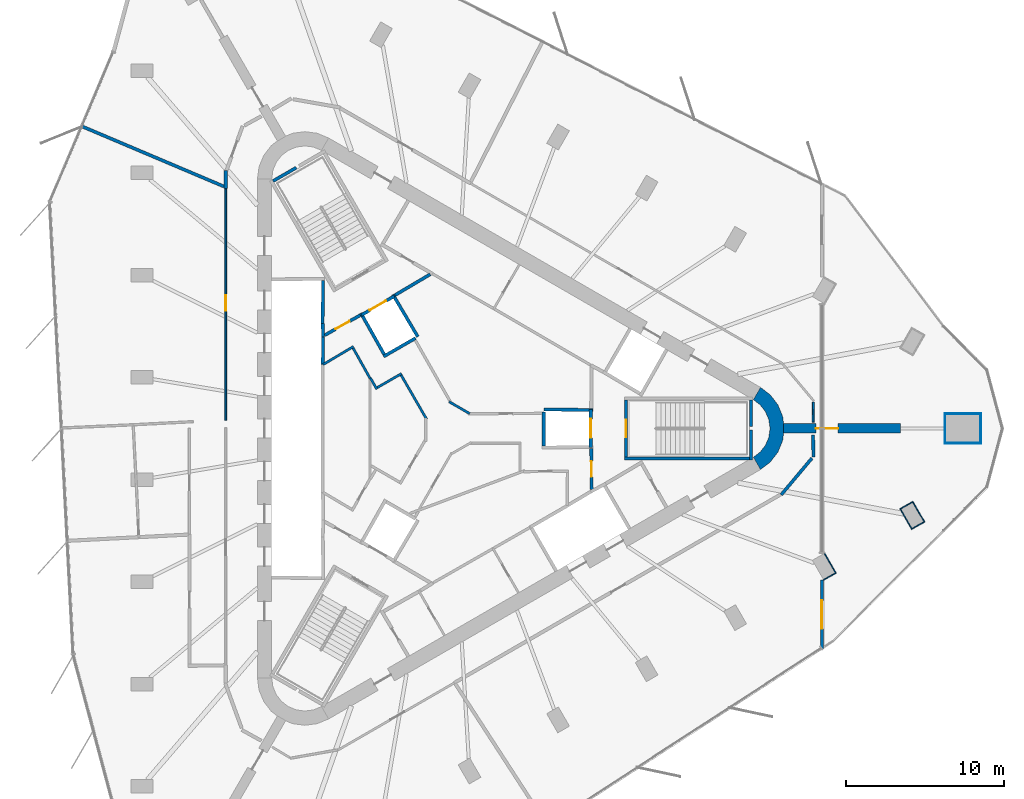
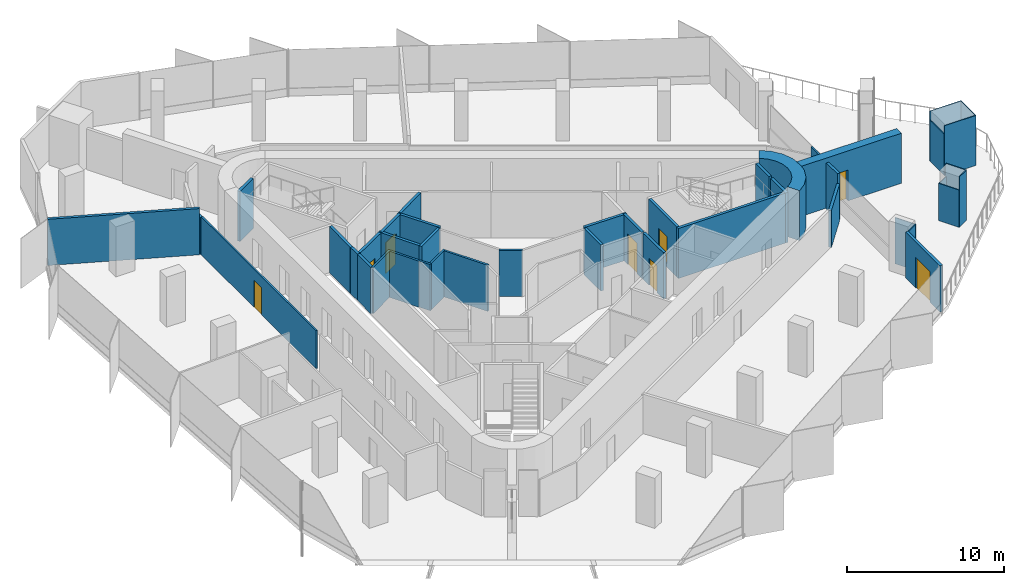
# One storey, part 9 of 12: 43 walls, 8 doors, 8 openings.
"""IFC4 building model written with IfcOpenShell, lengths in metres."""

from ifc_helpers import new_model, si_unit, direction, frame, frame_2d, origin, place, context, subcontext, project, spatial, polyline, rectangle, outline, extrude, material, layer, layer_set, type_object, element, fill, save


model = new_model("IFC4")

# Units and contexts
model_context = context("Model", 3, precision=1e-05, world=origin(), true_north=direction((0.0, 1.0)))
body_context = subcontext(model_context, "Body", "Model", "MODEL_VIEW")
ifc_project = project(units=[si_unit("LENGTHUNIT", "METRE"), si_unit("AREAUNIT", "SQUARE_METRE"), si_unit("VOLUMEUNIT", "CUBIC_METRE"), si_unit("PLANEANGLEUNIT", "RADIAN"), si_unit("MASSUNIT", "GRAM", prefix="KILO")], contexts=[model_context])

# Site, building, storey
site_placement = place(None, origin())
site = spatial("IfcSite", under=ifc_project, at=site_placement, CompositionType="ELEMENT")
building_placement = place(site_placement, origin())
building = spatial("IfcBuilding", under=site, at=building_placement, Name="Tanit Gate Tower", CompositionType="ELEMENT")
storey_placement = place(building_placement, frame((0.0, 0.0, 361.10009765625)))
storey = spatial("IfcBuildingStorey", under=building, at=storey_placement, Name="L82", CompositionType="ELEMENT", Elevation=361.10009765625)

# Wall, opening, door
ifc_material_1 = material(Name="Concrete C40/50", Category="concrete")
ifc_layer_1 = layer(ifc_material_1, 0.60009765625)
ifc_layer_set_1 = layer_set([ifc_layer_1], Name="BUTTRESS FIN 600 C40/50")
wall_type_1 = type_object("IfcWallType", Name="BUTTRESS FIN 600 C40/50", PredefinedType="SHEAR", material=ifc_layer_set_1)
wall_1_placement = place(storey_placement, frame((21.14990234375, 0.0, 0.0), z_axis=(0.0, 0.0, 1.0), x_axis=(1.0, 0.0, 0.0)))
wall_1 = element("IfcWall", 1, at=wall_1_placement, inside=storey, type_object=wall_type_1, Name="BUTTRESS FIN", PredefinedType="SHEAR", context=body_context, shape_type="SweptSolid", body=[
    extrude(rectangle(XDim=7.387939453125, YDim=0.60009765625, at=frame_2d((3.69384765625, 0.0))), origin(), (0.0, 0.0, 1.0), 3.89990234375),
])
opening_1_placement = place(wall_1_placement, frame((2.050048828125, 0.0, 0.0)))
opening_1 = element("IfcOpeningElement", 2, at=opening_1_placement, cuts=wall_1, Name="Opening P14-82-F-E-1", PredefinedType="OPENING", context=body_context, shape_type="SweptSolid", body=[
    extrude(rectangle(XDim=1.39990234375, YDim=2.39990234375, at=frame_2d((0.699951171875, 1.199951171875))), frame((0.0, 0.31005859375, 0.0), z_axis=(0.0, -1.0, 0.0), x_axis=(1.0, 0.0, 0.0)), (0.0, 0.0, 1.0), 0.6201171875),
])
ifc_material_2 = material(Name="Timber door leaf", Category="wood")
door_type_1 = type_object("IfcDoorType", Name="INT-DOOR-FIN-PAIR-1400", OperationType="NOTDEFINED", PredefinedType="NOTDEFINED", material=ifc_material_2)
door_1_placement = place(opening_1_placement, origin())
door_1 = element("IfcDoor", 3, at=door_1_placement, inside=storey, type_object=door_type_1, Name="Door P14-82-F-E-1", OperationType="DOUBLE_DOOR_SINGLE_SWING", OverallHeight=2.39990234375, OverallWidth=1.39990234375, PredefinedType="NOTDEFINED", context=body_context, shape_type="SweptSolid", body=[
    extrude(rectangle(XDim=1.39990234375, YDim=2.39990234375, at=frame_2d((0.699951171875, 1.199951171875))), frame((0.0, 0.02490234375, 0.0), z_axis=(0.0, -1.0, 0.0), x_axis=(1.0, 0.0, 0.0)), (0.0, 0.0, 1.0), 0.050048828125),
])
fill(opening_1, door_1)

# Walls
ifc_material_3 = material(Name="Concrete C40/50", Category="concrete")
ifc_layer_2 = layer(ifc_material_3, 0.89990234375)
ifc_layer_set_2 = layer_set([ifc_layer_2], Name="CORE WALL 900 C40/50")
wall_type_2 = type_object("IfcWallType", Name="CORE WALL 900 C40/50", PredefinedType="SHEAR", material=ifc_layer_set_2)
wall_2_placement = place(storey_placement, origin())
element("IfcWall", 4, at=wall_2_placement, inside=storey, type_object=wall_type_2, Name="CORE WALL CORNER", PredefinedType="SHEAR", context=body_context, shape_type="SweptSolid", body=[
    extrude(outline(polyline([(19.699951171875, -2.59814453125), (20.3212890625, -2.121337890625), (20.798095703125, -1.5), (21.097900390625, -0.776611328125), (21.199951171875, 0.0), (21.097900390625, 0.776611328125), (20.798095703125, 1.5), (20.3212890625, 2.121337890625), (19.699951171875, 2.59814453125), (19.25, 1.818603515625), (19.684814453125, 1.48486328125), (20.018798828125, 1.050048828125), (20.228515625, 0.54345703125), (20.300048828125, 0.0), (20.228515625, -0.54345703125), (20.018798828125, -1.050048828125), (19.684814453125, -1.48486328125), (19.25, -1.818603515625), (19.699951171875, -2.59814453125)])), origin(), (0.0, 0.0, 1.0), 3.89990234375),
])
ifc_material_4 = material(Name="Bronze anodised aluminium cladding", Category="aluminium")
ifc_layer_3 = layer(ifc_material_4, 0.06005859375)
ifc_layer_set_3 = layer_set([ifc_layer_3], Name="Column casing bronze 60")
wall_type_3 = type_object("IfcWallType", Name="Column casing bronze 60", PredefinedType="SOLIDWALL", material=ifc_layer_set_3)
for number, where, z_axis, x_axis, name in (
    (5, (31.33154296875, 0.929931640625, 0.0), (0.0, 0.0, 1.0), (1.0, 0.0, 0.0), "Column casing L82 M-E.L1"),
    (6, (31.33154296875, -0.929931640625, 0.0), (0.0, 0.0, 1.0), (1.0, 0.0, 0.0), "Column casing L82 M-E.L2"),
):
    element("IfcWall", number, at=place(storey_placement, frame(where, z_axis=z_axis, x_axis=x_axis)), inside=storey, type_object=wall_type_3, Name=name, PredefinedType="SOLIDWALL", context=body_context, shape_type="SweptSolid", body=[
        extrude(rectangle(XDim=2.320068359375, YDim=0.06005859375, at=frame_2d((1.16015625, 0.0))), origin(), (0.0, 0.0, 1.0), 3.89990234375),
    ])
wall_3_placement = place(storey_placement, frame((33.62158203125, -0.89990234375, 0.0), z_axis=(0.0, 0.0, 1.0), x_axis=(0.0, 1.0, 0.0)))
element("IfcWall", 7, at=wall_3_placement, inside=storey, type_object=wall_type_3, Name="Column casing L82 M-E.S1", PredefinedType="SOLIDWALL", context=body_context, shape_type="SweptSolid", body=[
    extrude(rectangle(XDim=1.7998046875, YDim=0.06005859375, at=frame_2d((0.89990234375, 0.0))), origin(), (0.0, 0.0, 1.0), 3.89990234375),
])
wall_4_placement = place(storey_placement, frame((31.361572265625, -0.89990234375, 0.0), z_axis=(0.0, 0.0, 1.0), x_axis=(0.0, 1.0, 0.0)))
element("IfcWall", 8, at=wall_4_placement, inside=storey, type_object=wall_type_3, Name="Column casing L82 M-E.S2", PredefinedType="SOLIDWALL", context=body_context, shape_type="SweptSolid", body=[
    extrude(rectangle(XDim=1.7998046875, YDim=0.06005859375, at=frame_2d((0.89990234375, 0.0))), origin(), (0.0, 0.0, 1.0), 3.199951171875),
])
wall_5_placement = place(storey_placement, frame((23.711669921875, -7.84033203125, 0.0), z_axis=(0.0, 0.0, 1.0), x_axis=(0.499991248344, -0.866030456496, 0.0)))
element("IfcWall", 9, at=wall_5_placement, inside=storey, type_object=wall_type_3, Name="Column casing L82 P-SE7.L1", PredefinedType="SOLIDWALL", context=body_context, shape_type="SweptSolid", body=[
    extrude(rectangle(XDim=1.52001953125, YDim=0.06005859375, at=frame_2d((0.760009765625, 0.0))), origin(), (0.0, 0.0, 1.0), 3.599853515625),
])
wall_6_placement = place(storey_placement, frame((23.694580078125, -9.57080078125, 0.0), z_axis=(0.0, 0.0, 1.0), x_axis=(0.866061263272, 0.499937884402, 0.0)))
element("IfcWall", 10, at=wall_6_placement, inside=storey, type_object=wall_type_3, Name="Column casing L82 P-SE7.S1", PredefinedType="SOLIDWALL", context=body_context, shape_type="SweptSolid", body=[
    extrude(rectangle(XDim=0.85009765625, YDim=0.06005859375, at=frame_2d((0.425048828125, 0.0))), origin(), (0.0, 0.0, 1.0), 3.599853515625),
])
wall_7_placement = place(storey_placement, frame((29.3095703125, -4.6083984375, 0.0), z_axis=(0.0, 0.0, 1.0), x_axis=(0.499991248344, -0.866030456496, 0.0)))
element("IfcWall", 11, at=wall_7_placement, inside=storey, type_object=wall_type_3, Name="Column casing L82 P-SE8.L1", PredefinedType="SOLIDWALL", context=body_context, shape_type="SweptSolid", body=[
    extrude(rectangle(XDim=1.52001953125, YDim=0.06005859375, at=frame_2d((0.760009765625, 0.0))), origin(), (0.0, 0.0, 1.0), 3.89990234375),
])
wall_8_placement = place(storey_placement, frame((28.521484375, -5.0634765625, 0.0), z_axis=(0.0, 0.0, 1.0), x_axis=(0.499991248344, -0.866030456496, 0.0)))
element("IfcWall", 12, at=wall_8_placement, inside=storey, type_object=wall_type_3, Name="Column casing L82 P-SE8.L2", PredefinedType="SOLIDWALL", context=body_context, shape_type="SweptSolid", body=[
    extrude(rectangle(XDim=1.52001953125, YDim=0.06005859375, at=frame_2d((0.760009765625, 0.0))), origin(), (0.0, 0.0, 1.0), 2.909912109375),
])
wall_9_placement = place(storey_placement, frame((29.29248046875, -6.3388671875, 0.0), z_axis=(0.0, 0.0, 1.0), x_axis=(0.866061263272, 0.499937884402, 0.0)))
element("IfcWall", 13, at=wall_9_placement, inside=storey, type_object=wall_type_3, Name="Column casing L82 P-SE8.S1", PredefinedType="SOLIDWALL", context=body_context, shape_type="SweptSolid", body=[
    extrude(rectangle(XDim=0.85009765625, YDim=0.06005859375, at=frame_2d((0.425048828125, 0.0))), origin(), (0.0, 0.0, 1.0), 3.89990234375),
])
wall_10_placement = place(storey_placement, frame((28.5625, -5.074462890625, 0.0), z_axis=(0.0, 0.0, 1.0), x_axis=(0.865989465428, 0.500062241894, 0.0)))
element("IfcWall", 14, at=wall_10_placement, inside=storey, type_object=wall_type_3, Name="Column casing L82 P-SE8.S2", PredefinedType="SOLIDWALL", context=body_context, shape_type="SweptSolid", body=[
    extrude(rectangle(XDim=0.85009765625, YDim=0.06005859375, at=frame_2d((0.425048828125, 0.0))), origin(), (0.0, 0.0, 1.0), 2.909912109375),
])

# Wall, opening, door
ifc_material_5 = material(Name="Concrete C30/37 rendered", Category="concrete")
ifc_layer_4 = layer(ifc_material_5, 0.199951171875)
ifc_layer_set_4 = layer_set([ifc_layer_4], Name="Facade wall 200 rendered")
wall_type_4 = type_object("IfcWallType", Name="Facade wall 200 rendered", PredefinedType="SOLIDWALL", material=ifc_layer_set_4)
wall_11_placement = place(storey_placement, frame((23.580078125, -9.572265625, 0.0), z_axis=(0.0, 0.0, 1.0), x_axis=(0.0, -1.0, 0.0)))
wall_11 = element("IfcWall", 15, at=wall_11_placement, inside=storey, type_object=wall_type_4, Name="Facade wall L82 NOTCH3.1", PredefinedType="SOLIDWALL", context=body_context, shape_type="SweptSolid", body=[
    extrude(rectangle(XDim=4.380615234375, YDim=0.199951171875, at=frame_2d((2.1904296875, 0.0))), origin(), (0.0, 0.0, 1.0), 3.599853515625),
])
opening_2_placement = place(wall_11_placement, frame((1.290283203125, 0.0, 0.0)))
opening_2 = element("IfcOpeningElement", 16, at=opening_2_placement, cuts=wall_11, Name="Opening D2", PredefinedType="OPENING", context=body_context, shape_type="SweptSolid", body=[
    extrude(rectangle(XDim=1.800048828125, YDim=2.39990234375, at=frame_2d((0.89990234375, 1.199951171875))), frame((0.0, 0.10986328125, 0.0), z_axis=(0.0, -1.0, 0.0), x_axis=(1.0, 0.0, 0.0)), (0.0, 0.0, 1.0), 0.219970703125),
])
ifc_material_6 = material(Name="Aluminium bronze anodised and glass", Category="aluminium")
door_type_2 = type_object("IfcDoorType", Name="Terrace door double 1800x2400", OperationType="DOUBLE_DOOR_SINGLE_SWING", PredefinedType="DOOR", material=ifc_material_6)
door_2_placement = place(opening_2_placement, frame((1.800048828125, 0.0, 0.0), z_axis=(0.0, 0.0, 1.0), x_axis=(-1.0, 0.0, 0.0)))
door_2 = element("IfcDoor", 17, at=door_2_placement, inside=storey, type_object=door_type_2, Name="Balcony door", OperationType="SINGLE_SWING_RIGHT", OverallHeight=2.39990234375, OverallWidth=1.800048828125, PredefinedType="DOOR", context=body_context, shape_type="SweptSolid", body=[
    extrude(rectangle(XDim=1.800048828125, YDim=2.39990234375, at=frame_2d((0.89990234375, 1.199951171875))), frame((0.0, 0.02490234375, 0.0), z_axis=(0.0, -1.0, 0.0), x_axis=(1.0, 0.0, 0.0)), (0.0, 0.0, 1.0), 0.050048828125),
])
fill(opening_2, door_2)

ifc_material_7 = material(Name="Fire-rated gypsum board partition")
ifc_layer_5 = layer(ifc_material_7, 0.199951171875)
ifc_layer_set_5 = layer_set([ifc_layer_5], Name="INT-WALL-COMPARTMENT")
wall_type_5 = type_object("IfcWallType", Name="INT-WALL-COMPARTMENT", PredefinedType="PARTITIONING", material=ifc_layer_set_5)
wall_12_placement = place(storey_placement, frame((9.02880859375, -3.850830078125, 0.0), z_axis=(0.0, 0.0, 1.0), x_axis=(-0.010783593937, 0.99994185536, 0.0)))
wall_12 = element("IfcWall", 18, at=wall_12_placement, inside=storey, type_object=wall_type_5, Name="Wall Compartment W063", PredefinedType="PARTITIONING", context=body_context, shape_type="SweptSolid", body=[
    extrude(rectangle(XDim=2.5810546875, YDim=0.199951171875, at=frame_2d((1.29052734375, 0.0))), origin(), (0.0, 0.0, 1.0), 3.599853515625),
])
opening_3_placement = place(wall_12_placement, frame((0.79052734375, 0.0, 0.0)))
opening_3 = element("IfcOpeningElement", 19, at=opening_3_placement, cuts=wall_12, Name="Opening F10-82-02", PredefinedType="OPENING", context=body_context, shape_type="SweptSolid", body=[
    extrude(rectangle(XDim=1.0, YDim=2.10009765625, at=frame_2d((0.5, 1.050048828125))), frame((0.0, 0.10986328125, 0.0), z_axis=(0.0, -1.0, 0.0), x_axis=(1.0, 0.0, 0.0)), (0.0, 0.0, 1.0), 0.219970703125),
])
ifc_material_8 = material(Name="Fire-rated steel door leaf", Category="steel")
door_type_3 = type_object("IfcDoorType", Name="INT-DOOR-FIRE-1000", OperationType="NOTDEFINED", PredefinedType="USERDEFINED", material=ifc_material_8)
door_3_placement = place(opening_3_placement, origin())
door_3 = element("IfcDoor", 20, at=door_3_placement, inside=storey, type_object=door_type_3, Name="Door F10-82-02", ObjectType="FIRE DOOR", OperationType="SINGLE_SWING_LEFT", OverallHeight=2.10009765625, OverallWidth=1.0, PredefinedType="USERDEFINED", context=body_context, shape_type="SweptSolid", body=[
    extrude(rectangle(XDim=1.0, YDim=2.10009765625, at=frame_2d((0.5, 1.050048828125))), frame((0.0, 0.02490234375, 0.0), z_axis=(0.0, -1.0, 0.0), x_axis=(1.0, 0.0, 0.0)), (0.0, 0.0, 1.0), 0.050048828125),
])
fill(opening_3, door_3)

# Wall
wall_13_placement = place(storey_placement, frame((-1.1787109375, 9.744873046875, 0.0), z_axis=(0.0, 0.0, 1.0), x_axis=(-0.860630814782, -0.509229418482, 0.0)))
element("IfcWall", 21, at=wall_13_placement, inside=storey, type_object=wall_type_5, Name="Wall Compartment W064", PredefinedType="PARTITIONING", context=body_context, shape_type="SweptSolid", body=[
    extrude(rectangle(XDim=2.581787109375, YDim=0.199951171875, at=frame_2d((1.291015625, 0.0))), origin(), (0.0, 0.0, 1.0), 3.599853515625),
])

# Wall, opening, door
wall_14_placement = place(storey_placement, frame((-5.600341796875, 7.16015625, 0.0), z_axis=(0.0, 0.0, 1.0), x_axis=(-0.871363259478, -0.490638431059, 0.0)))
wall_14 = element("IfcWall", 22, at=wall_14_placement, inside=storey, type_object=wall_type_5, Name="Wall Compartment W065", PredefinedType="PARTITIONING", context=body_context, shape_type="SweptSolid", body=[
    extrude(rectangle(XDim=2.5810546875, YDim=0.199951171875, at=frame_2d((1.29052734375, 0.0))), origin(), (0.0, 0.0, 1.0), 3.599853515625),
])
opening_4_placement = place(wall_14_placement, frame((0.79052734375, 0.0, 0.0)))
opening_4 = element("IfcOpeningElement", 23, at=opening_4_placement, cuts=wall_14, Name="Opening F10-82-05", PredefinedType="OPENING", context=body_context, shape_type="SweptSolid", body=[
    extrude(rectangle(XDim=1.0, YDim=2.10009765625, at=frame_2d((0.5, 1.050048828125))), frame((0.0, 0.10986328125, 0.0), z_axis=(0.0, -1.0, 0.0), x_axis=(1.0, 0.0, 0.0)), (0.0, 0.0, 1.0), 0.219970703125),
])
door_4_placement = place(opening_4_placement, origin())
door_4 = element("IfcDoor", 24, at=door_4_placement, inside=storey, type_object=door_type_3, Name="Door F10-82-05", ObjectType="FIRE DOOR", OperationType="SINGLE_SWING_LEFT", OverallHeight=2.10009765625, OverallWidth=1.0, PredefinedType="USERDEFINED", context=body_context, shape_type="SweptSolid", body=[
    extrude(rectangle(XDim=1.0, YDim=2.10009765625, at=frame_2d((0.5, 1.050048828125))), frame((0.0, 0.02490234375, 0.0), z_axis=(0.0, -1.0, 0.0), x_axis=(1.0, 0.0, 0.0)), (0.0, 0.0, 1.0), 0.050048828125),
])
fill(opening_4, door_4)

# Walls
wall_15_placement = place(storey_placement, frame((-14.10009765625, 16.293701171875, 0.0), z_axis=(0.0, 0.0, 1.0), x_axis=(0.0, -1.0, 0.0)))
element("IfcWall", 25, at=wall_15_placement, inside=storey, type_object=wall_type_5, Name="Wall Compartment W092", PredefinedType="PARTITIONING", context=body_context, shape_type="SweptSolid", body=[
    extrude(rectangle(XDim=1.109375, YDim=0.199951171875, at=frame_2d((0.5546875, 0.0))), origin(), (0.0, 0.0, 1.0), 2.8798828125),
])
wall_16_placement = place(storey_placement, frame((-14.199951171875, 15.2890625, 0.0), z_axis=(0.0, 0.0, 1.0), x_axis=(-0.92085238909, 0.389911371348, 0.0)))
element("IfcWall", 26, at=wall_16_placement, inside=storey, type_object=wall_type_5, Name="Wall Compartment W102", PredefinedType="PARTITIONING", context=body_context, shape_type="SweptSolid", body=[
    extrude(rectangle(XDim=9.772216796875, YDim=0.199951171875, at=frame_2d((4.88623046875, 0.0))), origin(), (0.0, 0.0, 1.0), 3.599853515625),
])
wall_17_placement = place(storey_placement, frame((23.046875, -1.80126953125, 0.0), z_axis=(0.0, 0.0, 1.0), x_axis=(-0.017070682919, 0.999854285276, 0.0)))
element("IfcWall", 27, at=wall_17_placement, inside=storey, type_object=wall_type_5, Name="Wall Compartment W122", PredefinedType="PARTITIONING", context=body_context, shape_type="SweptSolid", body=[
    extrude(rectangle(XDim=1.401611328125, YDim=0.199951171875, at=frame_2d((0.70068359375, 0.0))), origin(), (0.0, 0.0, 1.0), 3.599853515625),
])
wall_18_placement = place(storey_placement, frame((21.009765625, -4.190673828125, 0.0), z_axis=(0.0, 0.0, 1.0), x_axis=(0.642808479337, 0.766026930918, 0.0)))
element("IfcWall", 28, at=wall_18_placement, inside=storey, type_object=wall_type_5, Name="Wall Compartment W123", PredefinedType="PARTITIONING", context=body_context, shape_type="SweptSolid", body=[
    extrude(rectangle(XDim=3.015625, YDim=0.199951171875, at=frame_2d((1.5078125, 0.0))), origin(), (0.0, 0.0, 1.0), 2.8798828125),
])

# Wall, opening, door
ifc_material_9 = material(Name="Gypsum board partition")
ifc_layer_6 = layer(ifc_material_9, 0.1201171875)
ifc_layer_set_6 = layer_set([ifc_layer_6], Name="INT-WALL-PARTITION")
wall_type_6 = type_object("IfcWallType", Name="INT-WALL-PARTITION", PredefinedType="PARTITIONING", material=ifc_layer_set_6)
wall_19_placement = place(storey_placement, frame((-14.10009765625, 15.13818359375, 0.0), z_axis=(0.0, 0.0, 1.0), x_axis=(0.0, -1.0, 0.0)))
wall_19 = element("IfcWall", 29, at=wall_19_placement, inside=storey, type_object=wall_type_6, Name="Wall Partition W095", PredefinedType="PARTITIONING", context=body_context, shape_type="SweptSolid", body=[
    extrude(rectangle(XDim=14.630126953125, YDim=0.1201171875, at=frame_2d((7.31494140625, 0.0))), origin(), (0.0, 0.0, 1.0), 2.969970703125),
])
opening_5_placement = place(wall_19_placement, frame((6.711181640625, 0.0, 0.0)))
opening_5 = element("IfcOpeningElement", 30, at=opening_5_placement, cuts=wall_19, Name="Opening D10-82-22", PredefinedType="OPENING", context=body_context, shape_type="SweptSolid", body=[
    extrude(rectangle(XDim=1.0, YDim=2.10009765625, at=frame_2d((0.5, 1.050048828125))), frame((0.0, 0.070068359375, 0.0), z_axis=(0.0, -1.0, 0.0), x_axis=(1.0, 0.0, 0.0)), (0.0, 0.0, 1.0), 0.14013671875),
])
ifc_material_10 = material(Name="Timber door leaf", Category="wood")
door_type_4 = type_object("IfcDoorType", Name="INT-DOOR-SINGLE-1000", OperationType="NOTDEFINED", PredefinedType="NOTDEFINED", material=ifc_material_10)
door_5_placement = place(opening_5_placement, origin())
door_5 = element("IfcDoor", 31, at=door_5_placement, inside=storey, type_object=door_type_4, Name="Door D10-82-22", OperationType="SINGLE_SWING_LEFT", OverallHeight=2.10009765625, OverallWidth=1.0, PredefinedType="NOTDEFINED", context=body_context, shape_type="SweptSolid", body=[
    extrude(rectangle(XDim=1.0, YDim=2.10009765625, at=frame_2d((0.5, 1.050048828125))), frame((0.0, 0.02490234375, 0.0), z_axis=(0.0, -1.0, 0.0), x_axis=(1.0, 0.0, 0.0)), (0.0, 0.0, 1.0), 0.050048828125),
])
fill(opening_5, door_5)

# Walls
wall_20_placement = place(storey_placement, frame((23.02294921875, 0.39990234375, 0.0), z_axis=(0.0, 0.0, 1.0), x_axis=(0.017073489471, 0.999854237355, 0.0)))
element("IfcWall", 32, at=wall_20_placement, inside=storey, type_object=wall_type_6, Name="Wall Partition W114", PredefinedType="PARTITIONING", context=body_context, shape_type="SweptSolid", body=[
    extrude(rectangle(XDim=1.272705078125, YDim=0.1201171875, at=frame_2d((0.63623046875, 0.0))), origin(), (0.0, 0.0, 1.0), 3.599853515625),
])
ifc_material_11 = material(Name="Fire-rated gypsum board partition")
ifc_layer_7 = layer(ifc_material_11, 0.14990234375)
ifc_layer_set_7 = layer_set([ifc_layer_7], Name="INT-WALL-RISER")
wall_type_7 = type_object("IfcWallType", Name="INT-WALL-RISER", PredefinedType="PLUMBINGWALL", material=ifc_layer_set_7)
wall_21_placement = place(storey_placement, frame((0.01904296875, 1.68896484375, 0.0), z_axis=(0.0, 0.0, 1.0), x_axis=(0.866047774678, -0.499961250474, 0.0)))
element("IfcWall", 33, at=wall_21_placement, inside=storey, type_object=wall_type_7, Name="Wall Riser W069", PredefinedType="PLUMBINGWALL", context=body_context, shape_type="SweptSolid", body=[
    extrude(rectangle(XDim=1.50439453125, YDim=0.14990234375, at=frame_2d((0.752197265625, 0.0))), origin(), (0.0, 0.0, 1.0), 3.599853515625),
])
wall_22_placement = place(storey_placement, frame((-6.023681640625, 5.183349609375, 0.0), z_axis=(0.0, 0.0, 1.0), x_axis=(-0.860126804455, -0.510080268447, 0.0)))
element("IfcWall", 34, at=wall_22_placement, inside=storey, type_object=wall_type_7, Name="Wall Riser W082", PredefinedType="PLUMBINGWALL", context=body_context, shape_type="SweptSolid", body=[
    extrude(rectangle(XDim=2.239501953125, YDim=0.14990234375, at=frame_2d((1.11962890625, 0.0))), origin(), (0.0, 0.0, 1.0), 3.599853515625),
])
wall_23_placement = place(storey_placement, frame((-4.98291015625, 3.172119140625, 0.0), z_axis=(0.0, 0.0, 1.0), x_axis=(-0.488701962514, 0.872450796226, 0.0)))
element("IfcWall", 35, at=wall_23_placement, inside=storey, type_object=wall_type_7, Name="Wall Riser W083", PredefinedType="PLUMBINGWALL", context=body_context, shape_type="SweptSolid", body=[
    extrude(rectangle(XDim=2.1865234375, YDim=0.14990234375, at=frame_2d((1.09326171875, 0.0))), origin(), (0.0, 0.0, 1.0), 3.599853515625),
])
wall_24_placement = place(storey_placement, frame((-4.55078125, 2.482177734375, 0.0), z_axis=(0.0, 0.0, 1.0), x_axis=(-0.499852395195, 0.866110606688, 0.0)))
element("IfcWall", 36, at=wall_24_placement, inside=storey, type_object=wall_type_7, Name="Wall Riser W084", PredefinedType="PLUMBINGWALL", context=body_context, shape_type="SweptSolid", body=[
    extrude(rectangle(XDim=0.813232421875, YDim=0.14990234375, at=frame_2d((0.40673828125, 0.0))), origin(), (0.0, 0.0, 1.0), 3.599853515625),
])
wall_25_placement = place(storey_placement, frame((-2.986083984375, 3.47216796875, 0.0), z_axis=(0.0, 0.0, 1.0), x_axis=(-0.866059624469, -0.499940723351, 0.0)))
element("IfcWall", 37, at=wall_25_placement, inside=storey, type_object=wall_type_7, Name="Wall Riser W085", PredefinedType="PLUMBINGWALL", context=body_context, shape_type="SweptSolid", body=[
    extrude(rectangle(XDim=1.775146484375, YDim=0.14990234375, at=frame_2d((0.8876953125, 0.0))), origin(), (0.0, 0.0, 1.0), 3.599853515625),
])
wall_26_placement = place(storey_placement, frame((-1.4072265625, 0.58740234375, 0.0), z_axis=(0.0, 0.0, 1.0), x_axis=(-0.500029427677, 0.866008413041, 0.0)))
element("IfcWall", 38, at=wall_26_placement, inside=storey, type_object=wall_type_7, Name="Wall Riser W086", PredefinedType="PLUMBINGWALL", context=body_context, shape_type="SweptSolid", body=[
    extrude(rectangle(XDim=3.212646484375, YDim=0.14990234375, at=frame_2d((1.6064453125, 0.0))), origin(), (0.0, 0.0, 1.0), 3.599853515625),
])
ifc_material_12 = material(Name="Gypsum shaft wall system")
ifc_layer_8 = layer(ifc_material_12, 0.199951171875)
ifc_layer_set_8 = layer_set([ifc_layer_8], Name="INT-WALL-SHAFT")
wall_type_8 = type_object("IfcWallType", Name="INT-WALL-SHAFT", PredefinedType="PLUMBINGWALL", material=ifc_layer_set_8)
wall_27_placement = place(storey_placement, frame((-7.951171875, 9.35009765625, 0.0), z_axis=(0.0, 0.0, 1.0), x_axis=(-0.011120469654, -0.999938165666, 0.0)))
element("IfcWall", 39, at=wall_27_placement, inside=storey, type_object=wall_type_8, Name="Wall Shaft W002", PredefinedType="PLUMBINGWALL", context=body_context, shape_type="SweptSolid", body=[
    extrude(rectangle(XDim=2.700439453125, YDim=0.199951171875, at=frame_2d((1.35009765625, 0.0))), origin(), (0.0, 0.0, 1.0), 3.599853515625),
])
wall_28_placement = place(storey_placement, frame((-7.97705078125, 6.650146484375, 0.0), z_axis=(0.0, 0.0, 1.0), x_axis=(0.030861509705, -0.999523670164, 0.0)))
element("IfcWall", 40, at=wall_28_placement, inside=storey, type_object=wall_type_8, Name="Wall Shaft W003", PredefinedType="PLUMBINGWALL", context=body_context, shape_type="SweptSolid", body=[
    extrude(rectangle(XDim=0.878173828125, YDim=0.199951171875, at=frame_2d((0.43896484375, 0.0))), origin(), (0.0, 0.0, 1.0), 3.599853515625),
])
wall_29_placement = place(storey_placement, frame((-7.94921875, 5.894775390625, 0.0), z_axis=(0.0, 0.0, 1.0), x_axis=(-0.012042535896, -0.999927486035, 0.0)))
element("IfcWall", 41, at=wall_29_placement, inside=storey, type_object=wall_type_8, Name="Wall Shaft W004", PredefinedType="PLUMBINGWALL", context=body_context, shape_type="SweptSolid", body=[
    extrude(rectangle(XDim=1.844970703125, YDim=0.199951171875, at=frame_2d((0.92236328125, 0.0))), origin(), (0.0, 0.0, 1.0), 3.599853515625),
])

# Wall, opening, door
wall_30_placement = place(storey_placement, frame((8.969970703125, 1.199951171875, 0.0), z_axis=(0.0, 0.0, 1.0), x_axis=(0.0, -1.0, 0.0)))
wall_30 = element("IfcWall", 42, at=wall_30_placement, inside=storey, type_object=wall_type_8, Name="Wall Shaft W025", PredefinedType="PLUMBINGWALL", context=body_context, shape_type="SweptSolid", body=[
    extrude(rectangle(XDim=2.39990234375, YDim=0.199951171875, at=frame_2d((1.199951171875, 0.0))), origin(), (0.0, 0.0, 1.0), 3.599853515625),
])
opening_6_placement = place(wall_30_placement, frame((0.60009765625, 0.0, 0.0)))
opening_6 = element("IfcOpeningElement", 43, at=opening_6_placement, cuts=wall_30, Name="Opening LDFL1-L82", PredefinedType="OPENING", context=body_context, shape_type="SweptSolid", body=[
    extrude(rectangle(XDim=1.199951171875, YDim=2.39990234375, at=frame_2d((0.60009765625, 1.199951171875))), frame((0.0, 0.10986328125, 0.0), z_axis=(0.0, -1.0, 0.0), x_axis=(1.0, 0.0, 0.0)), (0.0, 0.0, 1.0), 0.219970703125),
])
ifc_material_13 = material(Name="Stainless steel sliding door leaf", Category="steel")
door_type_5 = type_object("IfcDoorType", Name="INT-DOOR-LANDING-1200", OperationType="NOTDEFINED", PredefinedType="USERDEFINED", material=ifc_material_13)
door_6_placement = place(opening_6_placement, origin())
door_6 = element("IfcDoor", 44, at=door_6_placement, inside=storey, type_object=door_type_5, Name="Door LDFL1-L82", ObjectType="LANDING DOOR", OperationType="SLIDING_TO_LEFT", OverallHeight=2.39990234375, OverallWidth=1.199951171875, PredefinedType="USERDEFINED", context=body_context, shape_type="SweptSolid", body=[
    extrude(rectangle(XDim=1.199951171875, YDim=2.39990234375, at=frame_2d((0.60009765625, 1.199951171875))), frame((0.0, 0.02490234375, 0.0), z_axis=(0.0, -1.0, 0.0), x_axis=(1.0, 0.0, 0.0)), (0.0, 0.0, 1.0), 0.050048828125),
])
fill(opening_6, door_6)

# Walls
wall_31_placement = place(storey_placement, frame((6.0, 1.199951171875, 0.0), z_axis=(0.0, 0.0, 1.0), x_axis=(0.999949988, -0.010001074852, 0.0)))
element("IfcWall", 45, at=wall_31_placement, inside=storey, type_object=wall_type_8, Name="Wall Shaft W026", PredefinedType="PLUMBINGWALL", context=body_context, shape_type="SweptSolid", body=[
    extrude(rectangle(XDim=3.100341796875, YDim=0.199951171875, at=frame_2d((1.55029296875, 0.0))), origin(), (0.0, 0.0, 1.0), 3.599853515625),
])
wall_32_placement = place(storey_placement, frame((6.0, -1.10009765625, 0.0), z_axis=(0.0, 0.0, 1.0), x_axis=(0.0, 1.0, 0.0)))
element("IfcWall", 46, at=wall_32_placement, inside=storey, type_object=wall_type_8, Name="Wall Shaft W028", PredefinedType="PLUMBINGWALL", context=body_context, shape_type="SweptSolid", body=[
    extrude(rectangle(XDim=2.129638671875, YDim=0.199951171875, at=frame_2d((1.06494140625, 0.0))), origin(), (0.0, 0.0, 1.0), 3.599853515625),
])

# Wall, opening, door
wall_33_placement = place(storey_placement, frame((-5.524169921875, 7.168212890625, 0.0), z_axis=(0.0, 0.0, 1.0), x_axis=(0.866024647952, 0.500001309137, 0.0)))
wall_33 = element("IfcWall", 47, at=wall_33_placement, inside=storey, type_object=wall_type_8, Name="Wall Shaft W034", PredefinedType="PLUMBINGWALL", context=body_context, shape_type="SweptSolid", body=[
    extrude(rectangle(XDim=2.39990234375, YDim=0.199951171875, at=frame_2d((1.199951171875, 0.0))), origin(), (0.0, 0.0, 1.0), 3.599853515625),
])
opening_7_placement = place(wall_33_placement, frame((0.60009765625, 0.0, 0.0)))
opening_7 = element("IfcOpeningElement", 48, at=opening_7_placement, cuts=wall_33, Name="Opening LDFL2-L82", PredefinedType="OPENING", context=body_context, shape_type="SweptSolid", body=[
    extrude(rectangle(XDim=1.199951171875, YDim=2.39990234375, at=frame_2d((0.60009765625, 1.199951171875))), frame((0.0, 0.10986328125, 0.0), z_axis=(0.0, -1.0, 0.0), x_axis=(1.0, 0.0, 0.0)), (0.0, 0.0, 1.0), 0.219970703125),
])
door_7_placement = place(opening_7_placement, origin())
door_7 = element("IfcDoor", 49, at=door_7_placement, inside=storey, type_object=door_type_5, Name="Door LDFL2-L82", ObjectType="LANDING DOOR", OperationType="SLIDING_TO_LEFT", OverallHeight=2.39990234375, OverallWidth=1.199951171875, PredefinedType="USERDEFINED", context=body_context, shape_type="SweptSolid", body=[
    extrude(rectangle(XDim=1.199951171875, YDim=2.39990234375, at=frame_2d((0.60009765625, 1.199951171875))), frame((0.0, 0.02490234375, 0.0), z_axis=(0.0, -1.0, 0.0), x_axis=(1.0, 0.0, 0.0)), (0.0, 0.0, 1.0), 0.050048828125),
])
fill(opening_7, door_7)

# Walls
wall_34_placement = place(storey_placement, frame((-3.53759765625, 8.46533203125, 0.0), z_axis=(0.0, 0.0, 1.0), x_axis=(0.508647062354, -0.860975125052, 0.0)))
element("IfcWall", 50, at=wall_34_placement, inside=storey, type_object=wall_type_8, Name="Wall Shaft W035", PredefinedType="PLUMBINGWALL", context=body_context, shape_type="SweptSolid", body=[
    extrude(rectangle(XDim=3.10009765625, YDim=0.199951171875, at=frame_2d((1.550048828125, 0.0))), origin(), (0.0, 0.0, 1.0), 3.599853515625),
])
wall_35_placement = place(storey_placement, frame((-2.1083984375, 5.7109375, 0.0), z_axis=(0.0, 0.0, 1.0), x_axis=(-0.866009305107, -0.50002788269, 0.0)))
element("IfcWall", 51, at=wall_35_placement, inside=storey, type_object=wall_type_8, Name="Wall Shaft W036", PredefinedType="PLUMBINGWALL", context=body_context, shape_type="SweptSolid", body=[
    extrude(rectangle(XDim=2.329345703125, YDim=0.199951171875, at=frame_2d((1.16455078125, 0.0))), origin(), (0.0, 0.0, 1.0), 3.599853515625),
])
wall_36_placement = place(storey_placement, frame((-5.5625, 7.29638671875, 0.0), z_axis=(0.0, 0.0, 1.0), x_axis=(0.49134651263, -0.870964180966, 0.0)))
element("IfcWall", 52, at=wall_36_placement, inside=storey, type_object=wall_type_8, Name="Wall Shaft W037", PredefinedType="PLUMBINGWALL", context=body_context, shape_type="SweptSolid", body=[
    extrude(rectangle(XDim=3.000244140625, YDim=0.199951171875, at=frame_2d((1.5, 0.0))), origin(), (0.0, 0.0, 1.0), 3.599853515625),
])
ifc_material_14 = material(Name="Concrete C40/50", Category="concrete")
ifc_layer_9 = layer(ifc_material_14, 0.199951171875)
ifc_layer_set_9 = layer_set([ifc_layer_9], Name="INT-WALL-STAIR")
wall_type_9 = type_object("IfcWallType", Name="INT-WALL-STAIR", PredefinedType="SHEAR", material=ifc_layer_set_9)
wall_37_placement = place(storey_placement, frame((19.10009765625, -2.0, -0.300048828125), z_axis=(0.0, 0.0, 1.0), x_axis=(0.0, 1.0, 0.0)))
element("IfcWall", 53, at=wall_37_placement, inside=storey, type_object=wall_type_9, Name="Wall Stair W022", PredefinedType="SHEAR", context=body_context, shape_type="SweptSolid", body=[
    extrude(rectangle(XDim=1.889892578125, YDim=0.199951171875, at=frame_2d((0.94482421875, 0.0))), origin(), (0.0, 0.0, 1.0), 3.89990234375),
])
wall_38_placement = place(storey_placement, frame((19.10009765625, 0.110107421875, -0.300048828125), z_axis=(0.0, 0.0, 1.0), x_axis=(0.0, 1.0, 0.0)))
element("IfcWall", 54, at=wall_38_placement, inside=storey, type_object=wall_type_9, Name="Wall Stair W021", PredefinedType="SHEAR", context=body_context, shape_type="SweptSolid", body=[
    extrude(rectangle(XDim=1.68994140625, YDim=0.199951171875, at=frame_2d((0.844970703125, 0.0))), origin(), (0.0, 0.0, 1.0), 3.89990234375),
])
wall_39_placement = place(storey_placement, frame((11.10009765625, -1.89990234375, -0.300048828125), z_axis=(0.0, 0.0, 1.0), x_axis=(1.0, 0.0, 0.0)))
element("IfcWall", 55, at=wall_39_placement, inside=storey, type_object=wall_type_9, Name="Wall Stair W023", PredefinedType="SHEAR", context=body_context, shape_type="SweptSolid", body=[
    extrude(rectangle(XDim=7.89990234375, YDim=0.199951171875, at=frame_2d((3.949951171875, 0.0))), origin(), (0.0, 0.0, 1.0), 3.89990234375),
])

# Wall, opening, door
wall_40_placement = place(storey_placement, frame((11.199951171875, -1.800048828125, -0.300048828125), z_axis=(0.0, 0.0, 1.0), x_axis=(0.0, 1.0, 0.0)))
wall_40 = element("IfcWall", 56, at=wall_40_placement, inside=storey, type_object=wall_type_9, Name="Wall Stair W024", PredefinedType="SHEAR", context=body_context, shape_type="SweptSolid", body=[
    extrude(rectangle(XDim=3.60009765625, YDim=0.199951171875, at=frame_2d((1.800048828125, 0.0))), origin(), (0.0, 0.0, 1.0), 3.89990234375),
])
opening_8_placement = place(wall_40_placement, frame((1.25, 0.0, 0.300048828125)))
opening_8 = element("IfcOpeningElement", 57, at=opening_8_placement, cuts=wall_40, Name="Opening S11-82-01", PredefinedType="OPENING", context=body_context, shape_type="SweptSolid", body=[
    extrude(rectangle(XDim=1.10009765625, YDim=2.10009765625, at=frame_2d((0.550048828125, 1.050048828125))), frame((0.0, 0.10986328125, 0.0), z_axis=(0.0, -1.0, 0.0), x_axis=(1.0, 0.0, 0.0)), (0.0, 0.0, 1.0), 0.219970703125),
])
ifc_material_15 = material(Name="Timber door leaf", Category="wood")
door_type_6 = type_object("IfcDoorType", Name="INT-DOOR-STAIR-1100", OperationType="NOTDEFINED", PredefinedType="USERDEFINED", material=ifc_material_15)
door_8_placement = place(opening_8_placement, origin())
door_8 = element("IfcDoor", 58, at=door_8_placement, inside=storey, type_object=door_type_6, Name="Door S11-82-01", ObjectType="FIRE DOOR", OperationType="SINGLE_SWING_RIGHT", OverallHeight=2.10009765625, OverallWidth=1.10009765625, PredefinedType="USERDEFINED", context=body_context, shape_type="SweptSolid", body=[
    extrude(rectangle(XDim=1.10009765625, YDim=2.10009765625, at=frame_2d((0.550048828125, 1.050048828125))), frame((0.0, 0.02490234375, 0.0), z_axis=(0.0, -1.0, 0.0), x_axis=(1.0, 0.0, 0.0)), (0.0, 0.0, 1.0), 0.050048828125),
])
fill(opening_8, door_8)

# Wall
wall_41_placement = place(storey_placement, frame((-9.645263671875, 16.486083984375, -0.300048828125), z_axis=(0.0, 0.0, 1.0), x_axis=(-0.866038843867, -0.499976720371, 0.0)))
element("IfcWall", 59, at=wall_41_placement, inside=storey, type_object=wall_type_9, Name="Wall Stair W030", PredefinedType="SHEAR", context=body_context, shape_type="SweptSolid", body=[
    extrude(rectangle(XDim=1.68994140625, YDim=0.199951171875, at=frame_2d((0.844970703125, 0.0))), origin(), (0.0, 0.0, 1.0), 3.89990234375),
])

save(model, "model.ifc")
